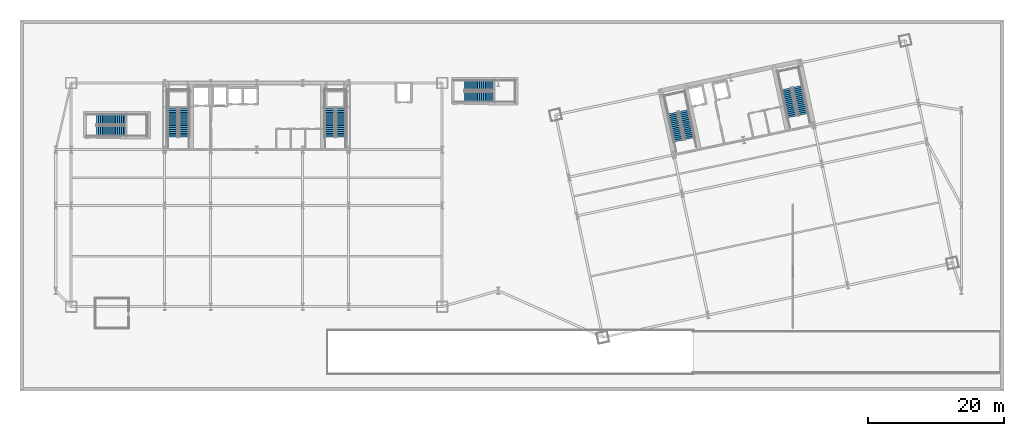
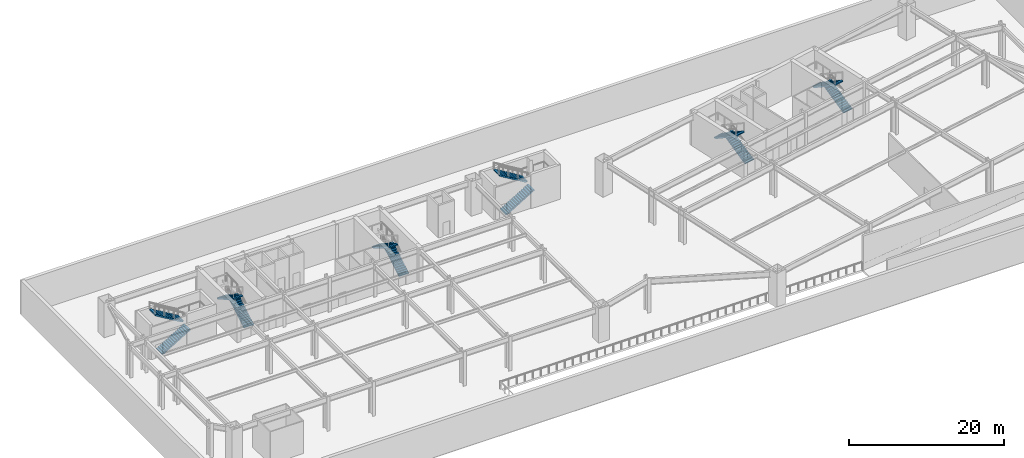
# One storey, part 11 of 16: 12 stair flights, 6 elements without a shape of their own.
"""IFC4 building model written with IfcOpenShell, lengths in metres."""

from ifc_helpers import new_model, si_unit, direction, frame, origin, place, context, subcontext, project, spatial, polyline, outline, extrude, material, type_object, element, aggregate, save


model = new_model("IFC4")

# Units and contexts
model_context = context("Model", 3, precision=1e-05, world=origin(), true_north=direction((0.0, 1.0)))
body_context = subcontext(model_context, "Body", "Model", "MODEL_VIEW")
ifc_project = project(units=[si_unit("LENGTHUNIT", "METRE"), si_unit("AREAUNIT", "SQUARE_METRE"), si_unit("VOLUMEUNIT", "CUBIC_METRE"), si_unit("PLANEANGLEUNIT", "RADIAN"), si_unit("MASSUNIT", "GRAM", prefix="KILO")], contexts=[model_context])

# Site, building, storey
site_placement = place(None, origin())
site = spatial("IfcSite", under=ifc_project, at=site_placement, CompositionType="ELEMENT")
building_placement = place(site_placement, origin())
building = spatial("IfcBuilding", under=site, at=building_placement, Name="Haevon Station Towers", CompositionType="ELEMENT")
storey_placement = place(building_placement, frame((0.0, 0.0, -5.39990234375)))
storey = spatial("IfcBuildingStorey", under=building, at=storey_placement, Name="B01", CompositionType="ELEMENT", Elevation=-5.39990234375)

# Stair, stair flights
ifc_material = material(Name="Concrete C40/50", Category="concrete")
stair_type_1 = type_object("IfcStairType", Name="STR-DL1450", PredefinedType="USERDEFINED", material=ifc_material)
stair_1_placement = place(storey_placement, origin())
stair_1 = element("IfcStair", 1, at=stair_1_placement, inside=storey, type_object=stair_type_1, Name="B01 Escape Stair ST1", ObjectType="TWO_RETURN_STAIR", PredefinedType="USERDEFINED")
stair_flight_type_1 = type_object("IfcStairFlightType", Name="STF-ST1450", PredefinedType="STRAIGHT", material=ifc_material)
stair_flight_1_placement = place(storey_placement, frame((26.85498046875, 40.050048828125, 0.0), z_axis=(0.0, 0.0, 1.0), x_axis=(0.0, 1.0, 0.0)))
stair_flight_1 = element("IfcStairFlight", 2, at=stair_flight_1_placement, type_object=stair_flight_type_1, Name="B01 ST1 Flight 1", NumberOfRisers=16, NumberOfTreads=15, PredefinedType="STRAIGHT", RiserHeight=0.16875, TreadLength=0.28, context=body_context, shape_type="SweptSolid", body=[
    extrude(outline(polyline([(0.0, 0.0), (0.0, 0.168701171875), (0.280029296875, 0.168701171875), (0.280029296875, 0.33740234375), (0.56005859375, 0.33740234375), (0.56005859375, 0.50634765625), (0.840087890625, 0.50634765625), (0.840087890625, 0.675048828125), (1.1201171875, 0.675048828125), (1.1201171875, 0.84375), (1.39990234375, 0.84375), (1.39990234375, 1.012451171875), (1.679931640625, 1.012451171875), (1.679931640625, 1.18115234375), (1.9599609375, 1.18115234375), (1.9599609375, 1.35009765625), (2.239990234375, 1.35009765625), (2.239990234375, 1.518798828125), (2.52001953125, 1.518798828125), (2.52001953125, 1.6875), (2.800048828125, 1.6875), (2.800048828125, 1.856201171875), (3.080078125, 1.856201171875), (3.080078125, 2.02490234375), (3.360107421875, 2.02490234375), (3.360107421875, 2.19384765625), (3.639892578125, 2.19384765625), (3.639892578125, 2.362548828125), (3.919921875, 2.362548828125), (3.919921875, 2.53125), (4.199951171875, 2.53125), (4.199951171875, 2.699951171875), (4.199951171875, 2.344482421875), (0.309814453125, 0.0), (0.0, 0.0)])), frame((0.0, 0.72509765625, 0.0), z_axis=(0.0, -1.0, 0.0), x_axis=(1.0, 0.0, 0.0)), (0.0, 0.0, 1.0), 1.449951171875),
])
stair_flight_2_placement = place(storey_placement, frame((25.205078125, 44.25, 2.699951171875), z_axis=(0.0, 0.0, 1.0), x_axis=(0.0, -1.0, 0.0)))
stair_flight_2 = element("IfcStairFlight", 3, at=stair_flight_2_placement, type_object=stair_flight_type_1, Name="B01 ST1 Flight 2", NumberOfRisers=16, NumberOfTreads=15, PredefinedType="STRAIGHT", RiserHeight=0.16875, TreadLength=0.28, context=body_context, shape_type="SweptSolid", body=[
    extrude(outline(polyline([(0.0, 0.0), (0.0, 0.168701171875), (0.280029296875, 0.168701171875), (0.280029296875, 0.33740234375), (0.56005859375, 0.33740234375), (0.56005859375, 0.50634765625), (0.840087890625, 0.50634765625), (0.840087890625, 0.675048828125), (1.1201171875, 0.675048828125), (1.1201171875, 0.84375), (1.39990234375, 0.84375), (1.39990234375, 1.012451171875), (1.679931640625, 1.012451171875), (1.679931640625, 1.18115234375), (1.9599609375, 1.18115234375), (1.9599609375, 1.35009765625), (2.239990234375, 1.35009765625), (2.239990234375, 1.518798828125), (2.52001953125, 1.518798828125), (2.52001953125, 1.6875), (2.800048828125, 1.6875), (2.800048828125, 1.856201171875), (3.080078125, 1.856201171875), (3.080078125, 2.02490234375), (3.360107421875, 2.02490234375), (3.360107421875, 2.19384765625), (3.639892578125, 2.19384765625), (3.639892578125, 2.362548828125), (3.919921875, 2.362548828125), (3.919921875, 2.53125), (4.199951171875, 2.53125), (4.199951171875, 2.699951171875), (4.199951171875, 2.344482421875), (0.309814453125, 0.0), (0.0, 0.0)])), frame((0.0, 0.72509765625, 0.0), z_axis=(0.0, -1.0, 0.0), x_axis=(1.0, 0.0, 0.0)), (0.0, 0.0, 1.0), 1.449951171875),
])
aggregate(stair_1, [stair_flight_1, stair_flight_2])

stair_2_placement = place(storey_placement, origin())
stair_2 = element("IfcStair", 4, at=stair_2_placement, inside=storey, type_object=stair_type_1, Name="B01 Escape Stair ST2", ObjectType="TWO_RETURN_STAIR", PredefinedType="USERDEFINED")
stair_flight_3_placement = place(storey_placement, frame((49.89501953125, 40.050048828125, 0.0), z_axis=(0.0, 0.0, 1.0), x_axis=(0.0, 1.0, 0.0)))
stair_flight_3 = element("IfcStairFlight", 5, at=stair_flight_3_placement, type_object=stair_flight_type_1, Name="B01 ST2 Flight 1", NumberOfRisers=16, NumberOfTreads=15, PredefinedType="STRAIGHT", RiserHeight=0.16875, TreadLength=0.28, context=body_context, shape_type="SweptSolid", body=[
    extrude(outline(polyline([(0.0, 0.0), (0.0, 0.168701171875), (0.280029296875, 0.168701171875), (0.280029296875, 0.33740234375), (0.56005859375, 0.33740234375), (0.56005859375, 0.50634765625), (0.840087890625, 0.50634765625), (0.840087890625, 0.675048828125), (1.1201171875, 0.675048828125), (1.1201171875, 0.84375), (1.39990234375, 0.84375), (1.39990234375, 1.012451171875), (1.679931640625, 1.012451171875), (1.679931640625, 1.18115234375), (1.9599609375, 1.18115234375), (1.9599609375, 1.35009765625), (2.239990234375, 1.35009765625), (2.239990234375, 1.518798828125), (2.52001953125, 1.518798828125), (2.52001953125, 1.6875), (2.800048828125, 1.6875), (2.800048828125, 1.856201171875), (3.080078125, 1.856201171875), (3.080078125, 2.02490234375), (3.360107421875, 2.02490234375), (3.360107421875, 2.19384765625), (3.639892578125, 2.19384765625), (3.639892578125, 2.362548828125), (3.919921875, 2.362548828125), (3.919921875, 2.53125), (4.199951171875, 2.53125), (4.199951171875, 2.699951171875), (4.199951171875, 2.344482421875), (0.309814453125, 0.0), (0.0, 0.0)])), frame((0.0, 0.72509765625, 0.0), z_axis=(0.0, -1.0, 0.0), x_axis=(1.0, 0.0, 0.0)), (0.0, 0.0, 1.0), 1.449951171875),
])
stair_flight_4_placement = place(storey_placement, frame((48.2451171875, 44.25, 2.699951171875), z_axis=(0.0, 0.0, 1.0), x_axis=(0.0, -1.0, 0.0)))
stair_flight_4 = element("IfcStairFlight", 6, at=stair_flight_4_placement, type_object=stair_flight_type_1, Name="B01 ST2 Flight 2", NumberOfRisers=16, NumberOfTreads=15, PredefinedType="STRAIGHT", RiserHeight=0.16875, TreadLength=0.28, context=body_context, shape_type="SweptSolid", body=[
    extrude(outline(polyline([(0.0, 0.0), (0.0, 0.168701171875), (0.280029296875, 0.168701171875), (0.280029296875, 0.33740234375), (0.56005859375, 0.33740234375), (0.56005859375, 0.50634765625), (0.840087890625, 0.50634765625), (0.840087890625, 0.675048828125), (1.1201171875, 0.675048828125), (1.1201171875, 0.84375), (1.39990234375, 0.84375), (1.39990234375, 1.012451171875), (1.679931640625, 1.012451171875), (1.679931640625, 1.18115234375), (1.9599609375, 1.18115234375), (1.9599609375, 1.35009765625), (2.239990234375, 1.35009765625), (2.239990234375, 1.518798828125), (2.52001953125, 1.518798828125), (2.52001953125, 1.6875), (2.800048828125, 1.6875), (2.800048828125, 1.856201171875), (3.080078125, 1.856201171875), (3.080078125, 2.02490234375), (3.360107421875, 2.02490234375), (3.360107421875, 2.19384765625), (3.639892578125, 2.19384765625), (3.639892578125, 2.362548828125), (3.919921875, 2.362548828125), (3.919921875, 2.53125), (4.199951171875, 2.53125), (4.199951171875, 2.699951171875), (4.199951171875, 2.344482421875), (0.309814453125, 0.0), (0.0, 0.0)])), frame((0.0, 0.72509765625, 0.0), z_axis=(0.0, -1.0, 0.0), x_axis=(1.0, 0.0, 0.0)), (0.0, 0.0, 1.0), 1.449951171875),
])
aggregate(stair_2, [stair_flight_3, stair_flight_4])

stair_3_placement = place(storey_placement, origin())
stair_3 = element("IfcStair", 7, at=stair_3_placement, inside=storey, type_object=stair_type_1, Name="B01 Escape Stair ST3", ObjectType="TWO_RETURN_STAIR", PredefinedType="USERDEFINED")
stair_flight_5_placement = place(storey_placement, frame((101.1015625, 39.8330078125, 0.0), z_axis=(0.0, 0.0, 1.0), x_axis=(-0.207911690818, 0.978147600734, 0.0)))
stair_flight_5 = element("IfcStairFlight", 8, at=stair_flight_5_placement, type_object=stair_flight_type_1, Name="B01 ST3 Flight 1", NumberOfRisers=16, NumberOfTreads=15, PredefinedType="STRAIGHT", RiserHeight=0.16875, TreadLength=0.28, context=body_context, shape_type="SweptSolid", body=[
    extrude(outline(polyline([(0.0, 0.0), (0.0, 0.168701171875), (0.280029296875, 0.168701171875), (0.280029296875, 0.33740234375), (0.56005859375, 0.33740234375), (0.56005859375, 0.50634765625), (0.840087890625, 0.50634765625), (0.840087890625, 0.675048828125), (1.1201171875, 0.675048828125), (1.1201171875, 0.84375), (1.39990234375, 0.84375), (1.39990234375, 1.012451171875), (1.679931640625, 1.012451171875), (1.679931640625, 1.18115234375), (1.9599609375, 1.18115234375), (1.9599609375, 1.35009765625), (2.239990234375, 1.35009765625), (2.239990234375, 1.518798828125), (2.52001953125, 1.518798828125), (2.52001953125, 1.6875), (2.800048828125, 1.6875), (2.800048828125, 1.856201171875), (3.080078125, 1.856201171875), (3.080078125, 2.02490234375), (3.360107421875, 2.02490234375), (3.360107421875, 2.19384765625), (3.639892578125, 2.19384765625), (3.639892578125, 2.362548828125), (3.919921875, 2.362548828125), (3.919921875, 2.53125), (4.199951171875, 2.53125), (4.199951171875, 2.699951171875), (4.199951171875, 2.344482421875), (0.309814453125, 0.0), (0.0, 0.0)])), frame((0.0, 0.72509765625, 0.0), z_axis=(0.0, -1.0, 0.0), x_axis=(1.0, 0.0, 0.0)), (0.0, 0.0, 1.0), 1.449951171875),
])
stair_flight_6_placement = place(storey_placement, frame((98.614501953125, 43.59814453125, 2.699951171875), z_axis=(0.0, 0.0, 1.0), x_axis=(0.207911690818, -0.978147600734, 0.0)))
stair_flight_6 = element("IfcStairFlight", 9, at=stair_flight_6_placement, type_object=stair_flight_type_1, Name="B01 ST3 Flight 2", NumberOfRisers=16, NumberOfTreads=15, PredefinedType="STRAIGHT", RiserHeight=0.16875, TreadLength=0.28, context=body_context, shape_type="SweptSolid", body=[
    extrude(outline(polyline([(0.0, 0.0), (0.0, 0.168701171875), (0.280029296875, 0.168701171875), (0.280029296875, 0.33740234375), (0.56005859375, 0.33740234375), (0.56005859375, 0.50634765625), (0.840087890625, 0.50634765625), (0.840087890625, 0.675048828125), (1.1201171875, 0.675048828125), (1.1201171875, 0.84375), (1.39990234375, 0.84375), (1.39990234375, 1.012451171875), (1.679931640625, 1.012451171875), (1.679931640625, 1.18115234375), (1.9599609375, 1.18115234375), (1.9599609375, 1.35009765625), (2.239990234375, 1.35009765625), (2.239990234375, 1.518798828125), (2.52001953125, 1.518798828125), (2.52001953125, 1.6875), (2.800048828125, 1.6875), (2.800048828125, 1.856201171875), (3.080078125, 1.856201171875), (3.080078125, 2.02490234375), (3.360107421875, 2.02490234375), (3.360107421875, 2.19384765625), (3.639892578125, 2.19384765625), (3.639892578125, 2.362548828125), (3.919921875, 2.362548828125), (3.919921875, 2.53125), (4.199951171875, 2.53125), (4.199951171875, 2.699951171875), (4.199951171875, 2.344482421875), (0.309814453125, 0.0), (0.0, 0.0)])), frame((0.0, 0.72509765625, 0.0), z_axis=(0.0, -1.0, 0.0), x_axis=(1.0, 0.0, 0.0)), (0.0, 0.0, 1.0), 1.449951171875),
])
aggregate(stair_3, [stair_flight_5, stair_flight_6])

stair_4_placement = place(storey_placement, origin())
stair_4 = element("IfcStair", 10, at=stair_4_placement, inside=storey, type_object=stair_type_1, Name="B01 Escape Stair ST4", ObjectType="TWO_RETURN_STAIR", PredefinedType="USERDEFINED")
stair_flight_7_placement = place(storey_placement, frame((117.788818359375, 43.380126953125, 0.0), z_axis=(0.0, 0.0, 1.0), x_axis=(-0.207911690818, 0.978147600734, 0.0)))
stair_flight_7 = element("IfcStairFlight", 11, at=stair_flight_7_placement, type_object=stair_flight_type_1, Name="B01 ST4 Flight 1", NumberOfRisers=16, NumberOfTreads=15, PredefinedType="STRAIGHT", RiserHeight=0.16875, TreadLength=0.28, context=body_context, shape_type="SweptSolid", body=[
    extrude(outline(polyline([(0.0, 0.0), (0.0, 0.168701171875), (0.280029296875, 0.168701171875), (0.280029296875, 0.33740234375), (0.56005859375, 0.33740234375), (0.56005859375, 0.50634765625), (0.840087890625, 0.50634765625), (0.840087890625, 0.675048828125), (1.1201171875, 0.675048828125), (1.1201171875, 0.84375), (1.39990234375, 0.84375), (1.39990234375, 1.012451171875), (1.679931640625, 1.012451171875), (1.679931640625, 1.18115234375), (1.9599609375, 1.18115234375), (1.9599609375, 1.35009765625), (2.239990234375, 1.35009765625), (2.239990234375, 1.518798828125), (2.52001953125, 1.518798828125), (2.52001953125, 1.6875), (2.800048828125, 1.6875), (2.800048828125, 1.856201171875), (3.080078125, 1.856201171875), (3.080078125, 2.02490234375), (3.360107421875, 2.02490234375), (3.360107421875, 2.19384765625), (3.639892578125, 2.19384765625), (3.639892578125, 2.362548828125), (3.919921875, 2.362548828125), (3.919921875, 2.53125), (4.199951171875, 2.53125), (4.199951171875, 2.699951171875), (4.199951171875, 2.344482421875), (0.309814453125, 0.0), (0.0, 0.0)])), frame((0.0, 0.72509765625, 0.0), z_axis=(0.0, -1.0, 0.0), x_axis=(1.0, 0.0, 0.0)), (0.0, 0.0, 1.0), 1.449951171875),
])
stair_flight_8_placement = place(storey_placement, frame((115.3017578125, 47.145263671875, 2.699951171875), z_axis=(0.0, 0.0, 1.0), x_axis=(0.207911690818, -0.978147600734, 0.0)))
stair_flight_8 = element("IfcStairFlight", 12, at=stair_flight_8_placement, type_object=stair_flight_type_1, Name="B01 ST4 Flight 2", NumberOfRisers=16, NumberOfTreads=15, PredefinedType="STRAIGHT", RiserHeight=0.16875, TreadLength=0.28, context=body_context, shape_type="SweptSolid", body=[
    extrude(outline(polyline([(0.0, 0.0), (0.0, 0.168701171875), (0.280029296875, 0.168701171875), (0.280029296875, 0.33740234375), (0.56005859375, 0.33740234375), (0.56005859375, 0.50634765625), (0.840087890625, 0.50634765625), (0.840087890625, 0.675048828125), (1.1201171875, 0.675048828125), (1.1201171875, 0.84375), (1.39990234375, 0.84375), (1.39990234375, 1.012451171875), (1.679931640625, 1.012451171875), (1.679931640625, 1.18115234375), (1.9599609375, 1.18115234375), (1.9599609375, 1.35009765625), (2.239990234375, 1.35009765625), (2.239990234375, 1.518798828125), (2.52001953125, 1.518798828125), (2.52001953125, 1.6875), (2.800048828125, 1.6875), (2.800048828125, 1.856201171875), (3.080078125, 1.856201171875), (3.080078125, 2.02490234375), (3.360107421875, 2.02490234375), (3.360107421875, 2.19384765625), (3.639892578125, 2.19384765625), (3.639892578125, 2.362548828125), (3.919921875, 2.362548828125), (3.919921875, 2.53125), (4.199951171875, 2.53125), (4.199951171875, 2.699951171875), (4.199951171875, 2.344482421875), (0.309814453125, 0.0), (0.0, 0.0)])), frame((0.0, 0.72509765625, 0.0), z_axis=(0.0, -1.0, 0.0), x_axis=(1.0, 0.0, 0.0)), (0.0, 0.0, 1.0), 1.449951171875),
])
aggregate(stair_4, [stair_flight_7, stair_flight_8])

stair_type_2 = type_object("IfcStairType", Name="STR-DL1500", PredefinedType="USERDEFINED", material=ifc_material)
stair_5_placement = place(storey_placement, origin())
stair_5 = element("IfcStair", 13, at=stair_5_placement, inside=storey, type_object=stair_type_2, Name="B01 Escape Stair ST5", ObjectType="TWO_RETURN_STAIR", PredefinedType="USERDEFINED")
stair_flight_type_2 = type_object("IfcStairFlightType", Name="STF-ST1500", PredefinedType="STRAIGHT", material=ifc_material)
stair_flight_9_placement = place(storey_placement, frame((14.0, 40.949951171875, 0.0), z_axis=(0.0, 0.0, 1.0), x_axis=(1.0, 0.0, 0.0)))
stair_flight_9 = element("IfcStairFlight", 14, at=stair_flight_9_placement, type_object=stair_flight_type_2, Name="B01 ST5 Flight 1", NumberOfRisers=16, NumberOfTreads=15, PredefinedType="STRAIGHT", RiserHeight=0.16875, TreadLength=0.28, context=body_context, shape_type="SweptSolid", body=[
    extrude(outline(polyline([(0.0, 0.0), (0.0, 0.168701171875), (0.280029296875, 0.168701171875), (0.280029296875, 0.33740234375), (0.56005859375, 0.33740234375), (0.56005859375, 0.50634765625), (0.840087890625, 0.50634765625), (0.840087890625, 0.675048828125), (1.1201171875, 0.675048828125), (1.1201171875, 0.84375), (1.39990234375, 0.84375), (1.39990234375, 1.012451171875), (1.679931640625, 1.012451171875), (1.679931640625, 1.18115234375), (1.9599609375, 1.18115234375), (1.9599609375, 1.35009765625), (2.239990234375, 1.35009765625), (2.239990234375, 1.518798828125), (2.52001953125, 1.518798828125), (2.52001953125, 1.6875), (2.800048828125, 1.6875), (2.800048828125, 1.856201171875), (3.080078125, 1.856201171875), (3.080078125, 2.02490234375), (3.360107421875, 2.02490234375), (3.360107421875, 2.19384765625), (3.639892578125, 2.19384765625), (3.639892578125, 2.362548828125), (3.919921875, 2.362548828125), (3.919921875, 2.53125), (4.199951171875, 2.53125), (4.199951171875, 2.699951171875), (4.199951171875, 2.344482421875), (0.309814453125, 0.0), (0.0, 0.0)])), frame((0.0, 0.75, 0.0), z_axis=(0.0, -1.0, 0.0), x_axis=(1.0, 0.0, 0.0)), (0.0, 0.0, 1.0), 1.5),
])
stair_flight_10_placement = place(storey_placement, frame((18.199951171875, 42.64990234375, 2.699951171875), z_axis=(0.0, 0.0, 1.0), x_axis=(-1.0, 0.0, 0.0)))
stair_flight_10 = element("IfcStairFlight", 15, at=stair_flight_10_placement, type_object=stair_flight_type_2, Name="B01 ST5 Flight 2", NumberOfRisers=16, NumberOfTreads=15, PredefinedType="STRAIGHT", RiserHeight=0.16875, TreadLength=0.28, context=body_context, shape_type="SweptSolid", body=[
    extrude(outline(polyline([(0.0, 0.0), (0.0, 0.168701171875), (0.280029296875, 0.168701171875), (0.280029296875, 0.33740234375), (0.56005859375, 0.33740234375), (0.56005859375, 0.50634765625), (0.840087890625, 0.50634765625), (0.840087890625, 0.675048828125), (1.1201171875, 0.675048828125), (1.1201171875, 0.84375), (1.39990234375, 0.84375), (1.39990234375, 1.012451171875), (1.679931640625, 1.012451171875), (1.679931640625, 1.18115234375), (1.9599609375, 1.18115234375), (1.9599609375, 1.35009765625), (2.239990234375, 1.35009765625), (2.239990234375, 1.518798828125), (2.52001953125, 1.518798828125), (2.52001953125, 1.6875), (2.800048828125, 1.6875), (2.800048828125, 1.856201171875), (3.080078125, 1.856201171875), (3.080078125, 2.02490234375), (3.360107421875, 2.02490234375), (3.360107421875, 2.19384765625), (3.639892578125, 2.19384765625), (3.639892578125, 2.362548828125), (3.919921875, 2.362548828125), (3.919921875, 2.53125), (4.199951171875, 2.53125), (4.199951171875, 2.699951171875), (4.199951171875, 2.344482421875), (0.309814453125, 0.0), (0.0, 0.0)])), frame((0.0, 0.75, 0.0), z_axis=(0.0, -1.0, 0.0), x_axis=(1.0, 0.0, 0.0)), (0.0, 0.0, 1.0), 1.5),
])
aggregate(stair_5, [stair_flight_9, stair_flight_10])

stair_6_placement = place(storey_placement, origin())
stair_6 = element("IfcStair", 16, at=stair_6_placement, inside=storey, type_object=stair_type_2, Name="B01 Escape Stair ST6", ObjectType="TWO_RETURN_STAIR", PredefinedType="USERDEFINED")
stair_flight_11_placement = place(storey_placement, frame((68.0, 45.949951171875, 0.0), z_axis=(0.0, 0.0, 1.0), x_axis=(1.0, 0.0, 0.0)))
stair_flight_11 = element("IfcStairFlight", 17, at=stair_flight_11_placement, type_object=stair_flight_type_2, Name="B01 ST6 Flight 1", NumberOfRisers=16, NumberOfTreads=15, PredefinedType="STRAIGHT", RiserHeight=0.16875, TreadLength=0.28, context=body_context, shape_type="SweptSolid", body=[
    extrude(outline(polyline([(0.0, 0.0), (0.0, 0.168701171875), (0.280029296875, 0.168701171875), (0.280029296875, 0.33740234375), (0.56005859375, 0.33740234375), (0.56005859375, 0.50634765625), (0.840087890625, 0.50634765625), (0.840087890625, 0.675048828125), (1.1201171875, 0.675048828125), (1.1201171875, 0.84375), (1.39990234375, 0.84375), (1.39990234375, 1.012451171875), (1.679931640625, 1.012451171875), (1.679931640625, 1.18115234375), (1.9599609375, 1.18115234375), (1.9599609375, 1.35009765625), (2.239990234375, 1.35009765625), (2.239990234375, 1.518798828125), (2.52001953125, 1.518798828125), (2.52001953125, 1.6875), (2.800048828125, 1.6875), (2.800048828125, 1.856201171875), (3.080078125, 1.856201171875), (3.080078125, 2.02490234375), (3.360107421875, 2.02490234375), (3.360107421875, 2.19384765625), (3.639892578125, 2.19384765625), (3.639892578125, 2.362548828125), (3.919921875, 2.362548828125), (3.919921875, 2.53125), (4.199951171875, 2.53125), (4.199951171875, 2.699951171875), (4.199951171875, 2.344482421875), (0.309814453125, 0.0), (0.0, 0.0)])), frame((0.0, 0.75, 0.0), z_axis=(0.0, -1.0, 0.0), x_axis=(1.0, 0.0, 0.0)), (0.0, 0.0, 1.0), 1.5),
])
stair_flight_12_placement = place(storey_placement, frame((72.199951171875, 47.64990234375, 2.699951171875), z_axis=(0.0, 0.0, 1.0), x_axis=(-1.0, 0.0, 0.0)))
stair_flight_12 = element("IfcStairFlight", 18, at=stair_flight_12_placement, type_object=stair_flight_type_2, Name="B01 ST6 Flight 2", NumberOfRisers=16, NumberOfTreads=15, PredefinedType="STRAIGHT", RiserHeight=0.16875, TreadLength=0.28, context=body_context, shape_type="SweptSolid", body=[
    extrude(outline(polyline([(0.0, 0.0), (0.0, 0.168701171875), (0.280029296875, 0.168701171875), (0.280029296875, 0.33740234375), (0.56005859375, 0.33740234375), (0.56005859375, 0.50634765625), (0.840087890625, 0.50634765625), (0.840087890625, 0.675048828125), (1.1201171875, 0.675048828125), (1.1201171875, 0.84375), (1.39990234375, 0.84375), (1.39990234375, 1.012451171875), (1.679931640625, 1.012451171875), (1.679931640625, 1.18115234375), (1.9599609375, 1.18115234375), (1.9599609375, 1.35009765625), (2.239990234375, 1.35009765625), (2.239990234375, 1.518798828125), (2.52001953125, 1.518798828125), (2.52001953125, 1.6875), (2.800048828125, 1.6875), (2.800048828125, 1.856201171875), (3.080078125, 1.856201171875), (3.080078125, 2.02490234375), (3.360107421875, 2.02490234375), (3.360107421875, 2.19384765625), (3.639892578125, 2.19384765625), (3.639892578125, 2.362548828125), (3.919921875, 2.362548828125), (3.919921875, 2.53125), (4.199951171875, 2.53125), (4.199951171875, 2.699951171875), (4.199951171875, 2.344482421875), (0.309814453125, 0.0), (0.0, 0.0)])), frame((0.0, 0.75, 0.0), z_axis=(0.0, -1.0, 0.0), x_axis=(1.0, 0.0, 0.0)), (0.0, 0.0, 1.0), 1.5),
])
aggregate(stair_6, [stair_flight_11, stair_flight_12])

save(model, "model.ifc")
